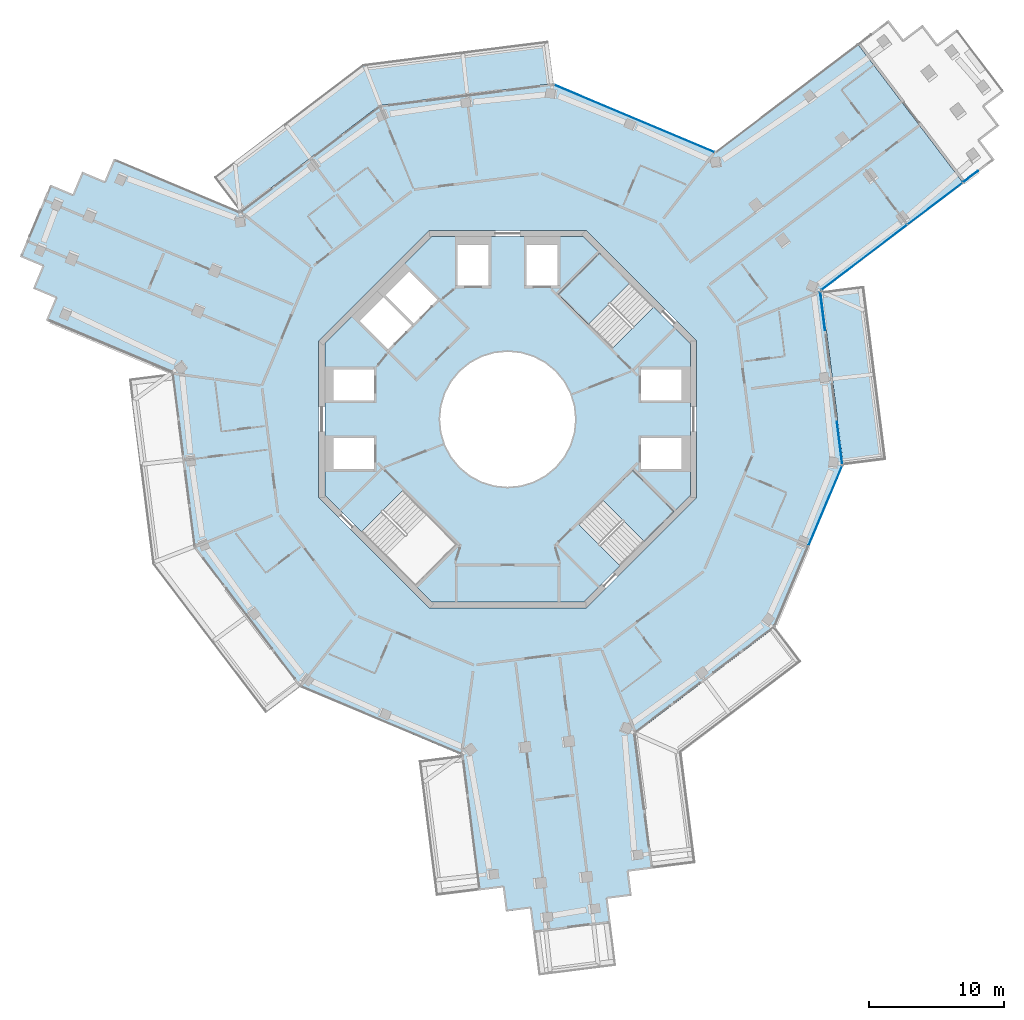
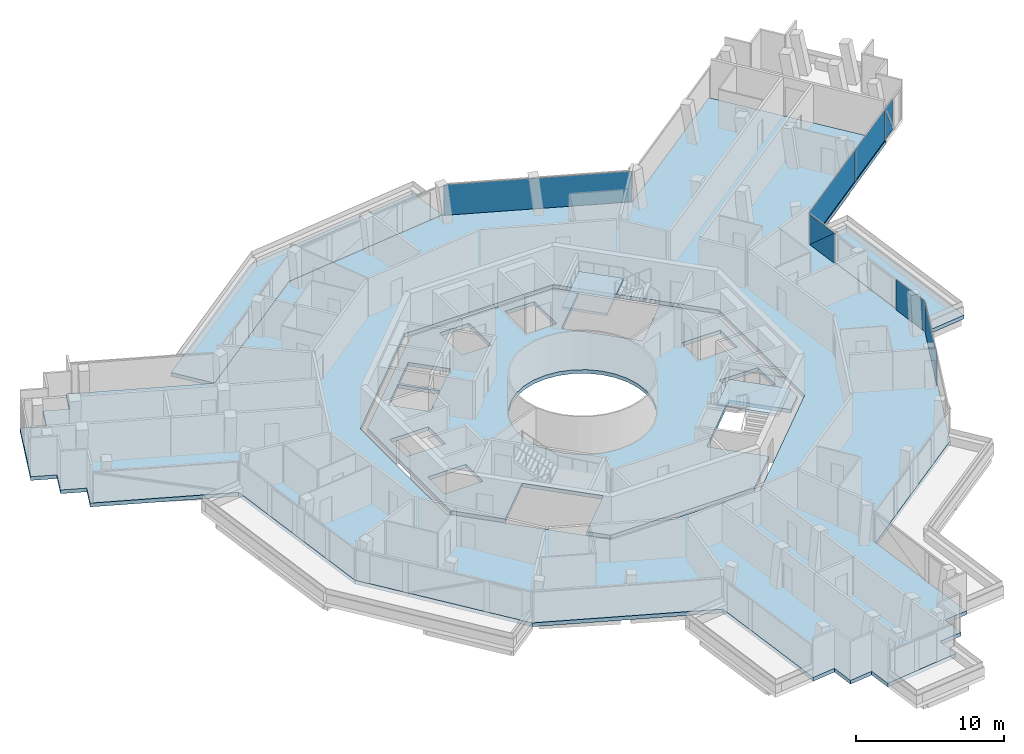
# One storey, part 15 of 26: 9 plates, 6 slabs, 6 elements without a shape of their own.
"""IFC4 building model written with IfcOpenShell, lengths in metres."""

from ifc_helpers import new_model, si_unit, direction, frame, origin, origin_2d, place, context, subcontext, project, spatial, polyline, rectangle, outline, extrude, material, layer, layer_set, type_object, element, aggregate, save


model = new_model("IFC4")

# Units and contexts
model_context = context("Model", 3, precision=1e-05, world=origin(), true_north=direction((0.0, 1.0)))
body_context = subcontext(model_context, "Body", "Model", "MODEL_VIEW")
ifc_project = project(units=[si_unit("LENGTHUNIT", "METRE"), si_unit("AREAUNIT", "SQUARE_METRE"), si_unit("VOLUMEUNIT", "CUBIC_METRE"), si_unit("PLANEANGLEUNIT", "RADIAN"), si_unit("MASSUNIT", "GRAM", prefix="KILO")], contexts=[model_context])

# Site, building, storey
site_placement = place(None, origin())
site = spatial("IfcSite", under=ifc_project, at=site_placement, CompositionType="ELEMENT")
building_placement = place(site_placement, origin())
building = spatial("IfcBuilding", under=site, at=building_placement, Name="Verdalira Terraces Hotel", CompositionType="ELEMENT")
storey_placement = place(building_placement, frame((0.0, 0.0, 306.5)))
storey = spatial("IfcBuildingStorey", under=building, at=storey_placement, Name="L76", CompositionType="ELEMENT", Elevation=306.5)

# Slabs
ifc_material_1 = material(Name="Precast concrete C40/50", Category="concrete")
ifc_layer_1 = layer(ifc_material_1, 0.31005859375)
ifc_layer_set_1 = layer_set([ifc_layer_1], Name="Balcony deck 310")
slab_type_1 = type_object("IfcSlabType", Name="Balcony deck 310", PredefinedType="FLOOR", material=ifc_layer_set_1)
slab_1_placement = place(storey_placement, frame((0.0, 0.0, -0.310059)))
element("IfcSlab", 1, at=slab_1_placement, inside=storey, type_object=slab_type_1, Name="Balcony deck", PredefinedType="FLOOR", context=body_context, shape_type="SweptSolid", body=[
    extrude(outline(polyline([(26.427246, 9.890137), (23.252441, 9.489014), (24.881592, -3.408447), (28.056396, -3.007324), (26.427246, 9.890137)])), origin(), (0.0, 0.0, 1.0), 0.310059),
])
slab_2_placement = place(storey_placement, frame((0.0, 0.0, -0.310059)))
element("IfcSlab", 2, at=slab_2_placement, inside=storey, type_object=slab_type_1, Name="Balcony deck", PredefinedType="FLOOR", context=body_context, shape_type="SweptSolid", body=[
    extrude(outline(polyline([(-10.740967, 26.31958), (-21.778809, 17.941406), (-19.843994, 15.392578), (-9.489014, 23.252441), (3.408447, 24.881592), (3.007324, 28.056396), (-10.740967, 26.31958)])), origin(), (0.0, 0.0, 1.0), 0.310059),
])

# Curtain wall, plate
ifc_material_2 = material(Name="Clear glass", Category="glass")
ifc_layer_2 = layer(ifc_material_2, 0.14990234375)
ifc_layer_set_2 = layer_set([ifc_layer_2], Name="CW1 curtain wall")
curtain_wall_type_1 = type_object("IfcCurtainWallType", Name="CW1 curtain wall", PredefinedType="NOTDEFINED", material=ifc_layer_set_2)
curtain_wall_1_placement = place(storey_placement, origin())
curtain_wall_1 = element("IfcCurtainWall", 3, at=curtain_wall_1_placement, inside=storey, type_object=curtain_wall_type_1, Name="CW1 curtain wall L76 edge 26", PredefinedType="NOTDEFINED")
ifc_material_3 = material(Name="Clear glass", Category="glass")
ifc_layer_3 = layer(ifc_material_3, 0.028076171875)
ifc_layer_set_3 = layer_set([ifc_layer_3], Name="CW1 glass unit 28")
plate_type_1 = type_object("IfcPlateType", Name="CW1 glass unit 28", PredefinedType="CURTAIN_PANEL", material=ifc_layer_set_3)
plate_1_placement = place(storey_placement, frame((23.539551, -6.407715, 0.0), z_axis=(0.0, 0.0, 1.0), x_axis=(0.387515586, 0.921863152, 0.0)))
plate_1 = element("IfcPlate", 4, at=plate_1_placement, type_object=plate_type_1, Name="CW1 glass unit", PredefinedType="CURTAIN_PANEL", context=body_context, shape_type="SweptSolid", body=[
    extrude(rectangle(XDim=6.369873, YDim=0.028076, at=origin_2d()), origin(), (0.0, 0.0, 1.0), 2.524902),
])
aggregate(curtain_wall_1, [plate_1])

# Curtain wall, plates
curtain_wall_2_placement = place(storey_placement, origin())
curtain_wall_2 = element("IfcCurtainWall", 5, at=curtain_wall_2_placement, inside=storey, type_object=curtain_wall_type_1, Name="CW1 curtain wall L76 edge 27", PredefinedType="NOTDEFINED")
plate_2_placement = place(storey_placement, frame((24.597412, -1.755859, 0.0), z_axis=(0.0, 0.0, 1.0), x_axis=(-0.125333234, 0.992114701, 0.0)))
plate_2 = element("IfcPlate", 6, at=plate_2_placement, type_object=plate_type_1, Name="CW1 glass unit", PredefinedType="CURTAIN_PANEL", context=body_context, shape_type="SweptSolid", body=[
    extrude(rectangle(XDim=3.149902, YDim=0.028076, at=origin_2d()), origin(), (0.0, 0.0, 1.0), 2.524902),
])
plate_3_placement = place(storey_placement, frame((23.348877, 8.015381, 1.262451), z_axis=(0.992114701, 0.125333234, 0.0), x_axis=(-0.125333234, 0.992114701, 0.0)))
plate_3 = element("IfcPlate", 7, at=plate_3_placement, type_object=plate_type_1, Name="CW1 glass unit", PredefinedType="CURTAIN_PANEL", context=body_context, shape_type="SweptSolid", body=[
    extrude(outline(polyline([(-1.414307, -1.262451), (1.414307, -1.262451), (-1.414307, 1.262451), (-1.414307, -1.262451)])), origin(), (0.0, 0.0, 1.0), 0.028076),
])
plate_4_placement = place(storey_placement, frame((23.320068, 8.011719, 1.262451), z_axis=(0.992114701, 0.125333234, 0.0), x_axis=(-0.125333234, 0.992114701, 0.0)))
plate_4 = element("IfcPlate", 8, at=plate_4_placement, type_object=plate_type_1, Name="CW1 glass unit", PredefinedType="CURTAIN_PANEL", context=body_context, shape_type="SweptSolid", body=[
    extrude(outline(polyline([(1.414307, -1.262451), (1.414307, 1.262451), (-1.414307, 1.262451), (1.414307, -1.262451)])), origin(), (0.0, 0.0, 1.0), 0.028076),
])
aggregate(curtain_wall_2, [plate_2, plate_3, plate_4])

# Curtain wall, plate
curtain_wall_3_placement = place(storey_placement, origin())
curtain_wall_3 = element("IfcCurtainWall", 9, at=curtain_wall_3_placement, inside=storey, type_object=curtain_wall_type_1, Name="CW1 curtain wall L76 edge 39", PredefinedType="NOTDEFINED")
plate_5_placement = place(storey_placement, frame((9.389893, 22.285889, 0.0), z_axis=(0.0, 0.0, 1.0), x_axis=(-0.921863152, 0.387515586, 0.0)))
plate_5 = element("IfcPlate", 10, at=plate_5_placement, type_object=plate_type_1, Name="CW1 glass unit", PredefinedType="CURTAIN_PANEL", context=body_context, shape_type="SweptSolid", body=[
    extrude(rectangle(XDim=12.839844, YDim=0.028076, at=origin_2d()), origin(), (0.0, 0.0, 1.0), 2.524902),
])
aggregate(curtain_wall_3, [plate_5])

# Curtain wall, plates
ifc_material_4 = material(Name="Clear glass", Category="glass")
ifc_layer_4 = layer(ifc_material_4, 0.14990234375)
ifc_layer_set_4 = layer_set([ifc_layer_4], Name="CW2 curtain wall")
curtain_wall_type_2 = type_object("IfcCurtainWallType", Name="CW2 curtain wall", PredefinedType="NOTDEFINED", material=ifc_layer_set_4)
curtain_wall_4_placement = place(storey_placement, origin())
curtain_wall_4 = element("IfcCurtainWall", 11, at=curtain_wall_4_placement, inside=storey, type_object=curtain_wall_type_2, Name="CW2 curtain wall L76 edge 28", PredefinedType="NOTDEFINED")
ifc_material_5 = material(Name="Clear glass", Category="glass")
ifc_layer_5 = layer(ifc_material_5, 0.031982421875)
ifc_layer_set_5 = layer_set([ifc_layer_5], Name="CW2 glass unit 32")
plate_type_2 = type_object("IfcPlateType", Name="CW2 glass unit 32", PredefinedType="CURTAIN_PANEL", material=ifc_layer_set_5)
plate_6_placement = place(storey_placement, frame((26.43042, 11.995605, 0.0), z_axis=(0.0, 0.0, 1.0), x_axis=(0.796529918, 0.604599115, 0.0)))
plate_6 = element("IfcPlate", 12, at=plate_6_placement, type_object=plate_type_2, Name="CW2 glass unit", PredefinedType="CURTAIN_PANEL", context=body_context, shape_type="SweptSolid", body=[
    extrude(rectangle(XDim=7.953857, YDim=0.031982, at=origin_2d()), origin(), (0.0, 0.0, 1.0), 2.524902),
])
plate_7_placement = place(storey_placement, frame((31.672607, 15.974609, 0.0), z_axis=(0.0, 0.0, 1.0), x_axis=(0.796529918, 0.604599115, 0.0)))
plate_7 = element("IfcPlate", 13, at=plate_7_placement, type_object=plate_type_2, Name="CW2 glass unit", PredefinedType="CURTAIN_PANEL", context=body_context, shape_type="SweptSolid", body=[
    extrude(rectangle(XDim=5.068848, YDim=0.031982, at=origin_2d()), origin(), (0.0, 0.0, 1.0), 2.524902),
])
plate_8_placement = place(storey_placement, frame((34.292969, 17.983643, 1.262451), z_axis=(0.604599115, -0.796529918, 0.0), x_axis=(0.796529918, 0.604599115, 0.0)))
plate_8 = element("IfcPlate", 14, at=plate_8_placement, type_object=plate_type_2, Name="CW2 glass unit", PredefinedType="CURTAIN_PANEL", context=body_context, shape_type="SweptSolid", body=[
    extrude(outline(polyline([(-0.69751, -1.262451), (0.69751, -1.262451), (-0.69751, 1.262451), (-0.69751, -1.262451)])), origin(), (0.0, 0.0, 1.0), 0.031982),
])
plate_9_placement = place(storey_placement, frame((34.273193, 18.01001, 1.262451), z_axis=(0.604599115, -0.796529918, 0.0), x_axis=(0.796529918, 0.604599115, 0.0)))
plate_9 = element("IfcPlate", 15, at=plate_9_placement, type_object=plate_type_2, Name="CW2 glass unit", PredefinedType="CURTAIN_PANEL", context=body_context, shape_type="SweptSolid", body=[
    extrude(outline(polyline([(0.69751, -1.262451), (0.69751, 1.262451), (-0.69751, 1.262451), (0.69751, -1.262451)])), origin(), (0.0, 0.0, 1.0), 0.031982),
])
aggregate(curtain_wall_4, [plate_6, plate_7, plate_8, plate_9])

# Slab
ifc_material_6 = material(Name="Concrete C40", Category="concrete")
ifc_layer_6 = layer(ifc_material_6, 0.31005859375)
ifc_layer_set_6 = layer_set([ifc_layer_6], Name="Core floor slab 310 mm")
slab_type_2 = type_object("IfcSlabType", Name="Core floor slab 310 mm", PredefinedType="FLOOR", material=ifc_layer_set_6)
slab_3_placement = place(storey_placement, frame((0.0, 0.0, -0.310059)))
element("IfcSlab", 16, at=slab_3_placement, inside=storey, type_object=slab_type_2, Name="L76 core floor", PredefinedType="FLOOR", context=body_context, shape_type="SweptSolid", body=[
    extrude(outline(polyline([(-6.809326, -12.353271), (-3.719482, -9.263184), (-7.746094, -5.236572), (-10.836182, -8.326416), (-13.550049, -5.612549), (-13.550049, 5.612549), (-5.612549, 13.550049), (5.612549, 13.550049), (6.809326, 12.353271), (3.719482, 9.263184), (7.746094, 5.236572), (10.836182, 8.326416), (13.550049, 5.612549), (13.550049, -5.612549), (12.353271, -6.809326), (9.263184, -3.719482), (5.236572, -7.746094), (8.326416, -10.836182), (5.612549, -13.550049), (-5.612549, -13.550049), (-6.809326, -12.353271)]), holes=[polyline([(9.899902, -1.399902), (9.899902, -3.699951), (12.899902, -3.699951), (12.899902, -1.399902), (9.899902, -1.399902)]), polyline([(9.899902, 3.699951), (9.899902, 1.399902), (12.899902, 1.399902), (12.899902, 3.699951), (9.899902, 3.699951)]), polyline([(3.699951, 12.899902), (1.399902, 12.899902), (1.399902, 9.899902), (3.699951, 9.899902), (3.699951, 12.899902)]), polyline([(-1.399902, 12.899902), (-3.699951, 12.899902), (-3.699951, 9.899902), (-1.399902, 9.899902), (-1.399902, 12.899902)]), polyline([(-9.899902, 1.399902), (-9.899902, 3.699951), (-12.899902, 3.699951), (-12.899902, 1.399902), (-9.899902, 1.399902)]), polyline([(-9.899902, -3.699951), (-9.899902, -1.399902), (-12.899902, -1.399902), (-12.899902, -3.699951), (-9.899902, -3.699951)]), polyline([(-9.051025, 9.192383), (-6.965088, 7.106445), (-5.197266, 8.874268), (-7.283203, 10.960205), (-9.051025, 9.192383)]), polyline([(-9.192383, 9.051025), (-10.960205, 7.283203), (-8.874268, 5.197266), (-7.106445, 6.965088), (-9.192383, 9.051025)]), polyline([(3.5354, 3.5354), (2.777832, 4.157227), (1.91333, 4.619385), (0.975586, 4.903809), (0.0, 5.0), (-0.975586, 4.903809), (-1.91333, 4.619385), (-2.777832, 4.157227), (-3.5354, 3.5354), (-4.157227, 2.777832), (-4.619385, 1.91333), (-4.903809, 0.975586), (-5.0, 0.0), (-4.903809, -0.975586), (-4.619385, -1.91333), (-4.157227, -2.777832), (-3.5354, -3.5354), (-2.777832, -4.157227), (-1.91333, -4.619385), (-0.975586, -4.903809), (0.0, -5.0), (0.975586, -4.903809), (1.91333, -4.619385), (2.777832, -4.157227), (3.5354, -3.5354), (4.157227, -2.777832), (4.619385, -1.91333), (4.903809, -0.975586), (5.0, 0.0), (4.903809, 0.975586), (4.619385, 1.91333), (4.157227, 2.777832), (3.5354, 3.5354)])]), origin(), (0.0, 0.0, 1.0), 0.310059),
])

# Stair, slab
ifc_material_7 = material(Name="Concrete C40", Category="concrete")
stair_type = type_object("IfcStairType", Name="Core stair 20 risers 2125 mm wide", PredefinedType="HALF_TURN_STAIR", material=ifc_material_7)
stair_1_placement = place(storey_placement, origin())
stair_1 = element("IfcStair", 17, at=stair_1_placement, inside=storey, type_object=stair_type, Name="L76 Exit stair ST1", PredefinedType="HALF_TURN_STAIR")
ifc_material_8 = material(Name="Concrete C40", Category="concrete")
ifc_layer_7 = layer(ifc_material_8, 0.199951171875)
ifc_layer_set_7 = layer_set([ifc_layer_7], Name="Core stair landing 200 mm")
slab_type_3 = type_object("IfcSlabType", Name="Core stair landing 200 mm", PredefinedType="LANDING", material=ifc_layer_set_7)
slab_4_placement = place(storey_placement, frame((0.0, 0.0, 1.550049)))
slab_4 = element("IfcSlab", 18, at=slab_4_placement, type_object=slab_type_3, Name="ST1 landing 1", PredefinedType="LANDING", context=body_context, shape_type="SweptSolid", body=[
    extrude(outline(polyline([(9.054932, 10.107666), (6.823486, 12.339111), (3.747559, 9.263184), (5.979004, 7.031738), (9.054932, 10.107666)])), origin(), (0.0, 0.0, 1.0), 0.199951),
])
aggregate(stair_1, [slab_4])

stair_2_placement = place(storey_placement, origin())
stair_2 = element("IfcStair", 19, at=stair_2_placement, inside=storey, type_object=stair_type, Name="L76 Exit stair ST3", PredefinedType="HALF_TURN_STAIR")
slab_5_placement = place(storey_placement, frame((0.0, 0.0, 1.550049)))
slab_5 = element("IfcSlab", 20, at=slab_5_placement, type_object=slab_type_3, Name="ST3 landing 1", PredefinedType="LANDING", context=body_context, shape_type="SweptSolid", body=[
    extrude(outline(polyline([(10.107666, -9.054932), (12.339111, -6.823486), (9.263184, -3.747559), (7.031738, -5.979004), (10.107666, -9.054932)])), origin(), (0.0, 0.0, 1.0), 0.199951),
])
aggregate(stair_2, [slab_5])

# Slab
ifc_material_9 = material(Name="Concrete C40", Category="concrete")
ifc_layer_8 = layer(ifc_material_9, 0.31005859375)
ifc_layer_set_8 = layer_set([ifc_layer_8], Name="Floor slab 310 C40")
slab_type_4 = type_object("IfcSlabType", Name="Floor slab 310 C40", PredefinedType="FLOOR", material=ifc_layer_set_8)
slab_6_placement = place(storey_placement, frame((0.0, 0.0, -0.310059)))
element("IfcSlab", 21, at=slab_6_placement, inside=storey, type_object=slab_type_4, Name="Floor slab L76", PredefinedType="FLOOR", context=body_context, shape_type="SweptSolid", body=[
    extrude(outline(polyline([(24.881592, -3.408447), (23.252441, 9.489014), (33.780029, 17.47998), (25.92041, 27.834961), (15.392578, 19.843994), (3.408447, 24.881592), (-9.489014, 23.252441), (-19.843994, 15.392578), (-29.170898, 19.313232), (-29.868408, 17.653809), (-31.527832, 18.351562), (-32.225342, 16.692139), (-33.884766, 17.389648), (-36.132324, 12.042725), (-34.4729, 11.345215), (-35.17041, 9.685791), (-33.510986, 8.988281), (-34.20874, 7.329102), (-24.881592, 3.408447), (-23.252441, -9.489014), (-15.392578, -19.843994), (-3.408447, -24.881592), (-2.140381, -34.919434), (-0.354492, -34.693848), (-0.128906, -36.479736), (1.656982, -36.25415), (1.882568, -38.039795), (7.636719, -37.312988), (7.411133, -35.5271), (9.197021, -35.301514), (8.971436, -33.515625), (10.75708, -33.290039), (9.489014, -23.252441), (19.843994, -15.392578), (24.881592, -3.408447)]), holes=[polyline([(5.799072, 14.0), (14.0, 5.799072), (14.0, -5.799072), (5.799072, -14.0), (-5.799072, -14.0), (-14.0, -5.799072), (-14.0, 5.799072), (-5.799072, 14.0), (5.799072, 14.0)])]), origin(), (0.0, 0.0, 1.0), 0.310059),
])

save(model, "model.ifc")
